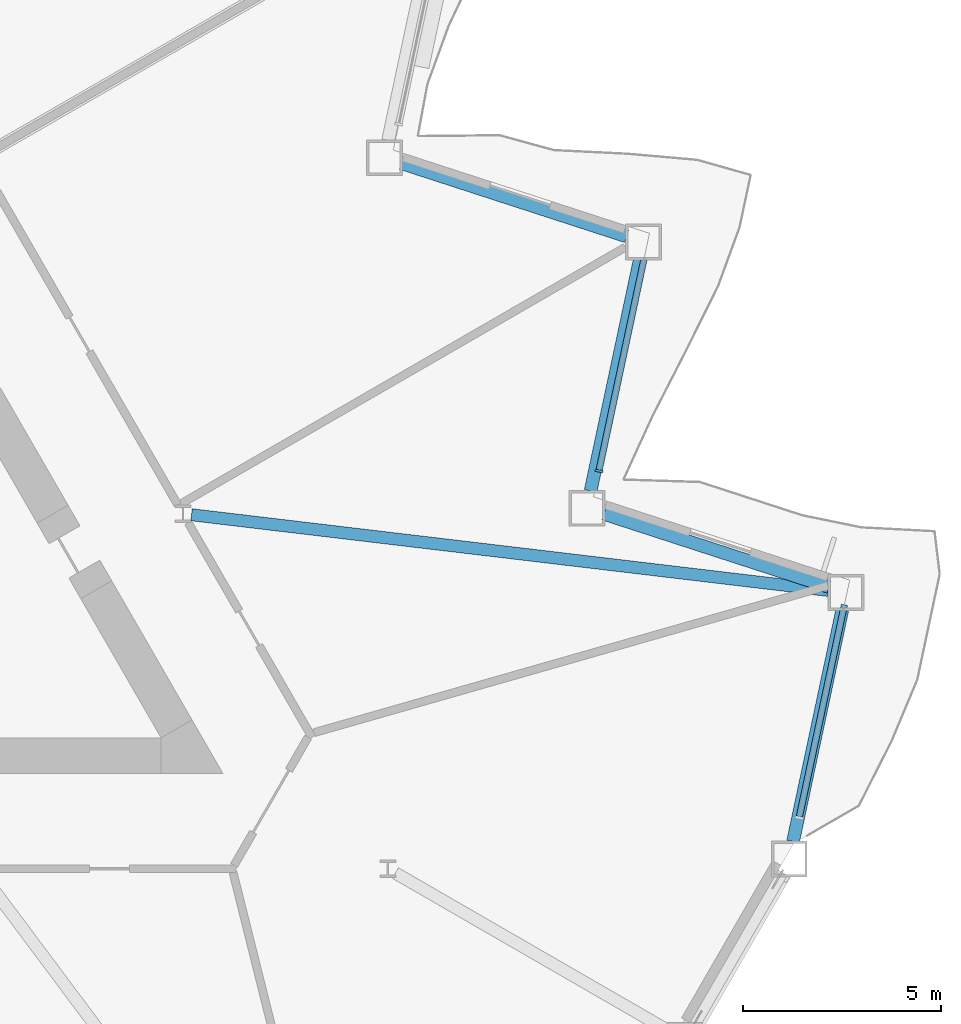
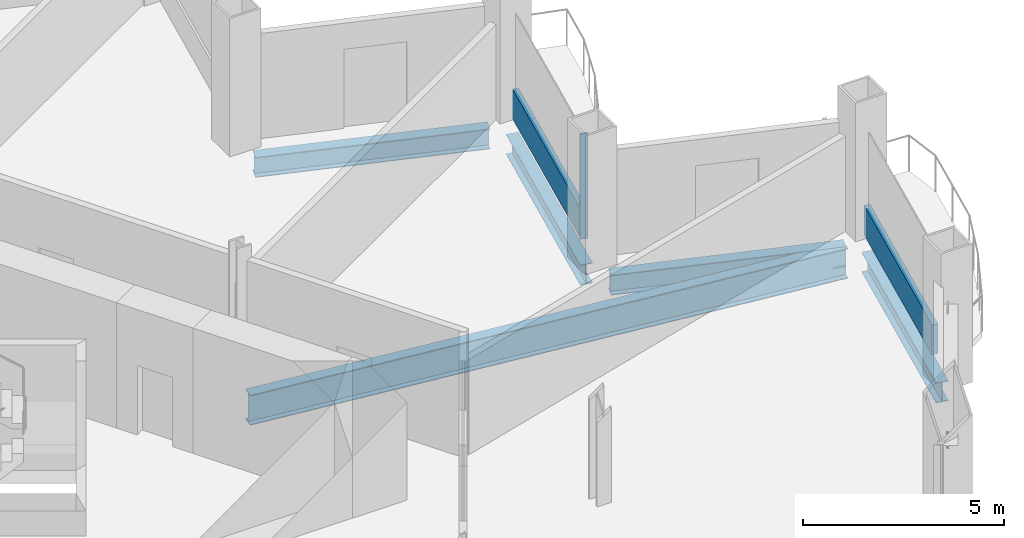
# One storey, part 6 of 21: 5 beams, 3 members, 2 elements without a shape of their own.
"""IFC4 building model written with IfcOpenShell, lengths in metres."""

import ifcopenshell
import ifcopenshell.guid

model = None  # the IFC model being written
_history = None  # IfcOwnerHistory: only IFC2X3 demands one
_inside = {}  # id of a spatial element -> (the spatial element, [elements in it])
_under = {}  # id of a project, library or spatial element -> (it, [spatial elements below it])
_declared = {}  # id of a project -> (the project, [libraries it declares])
_typed = {}  # id of a type object -> (the type object, [elements of that type])
_made_of = {}  # id of a material, layer set ... -> (it, [elements and type objects made of it])


def new_model(schema):
    """Start an empty IFC model of exactly this schema.

    Asked for "IFC4X3", IfcOpenShell would pick the latest addendum, in which some entities
    have other attributes; the version numbers below select the first issue.
    IFC2X3 requires an IfcOwnerHistory on every rooted entity: one is made here for all.
    """
    global model, _history
    if schema == "IFC4X3":
        model = ifcopenshell.file(schema_version=(4, 3, 0, 0))
    else:
        model = ifcopenshell.file(schema=schema)
    _inside.clear()
    _under.clear()
    _declared.clear()
    _typed.clear()
    _made_of.clear()
    _history = None
    if model.schema == "IFC2X3":
        org = make("IfcOrganization", Name="unknown")
        user = make(
            "IfcPersonAndOrganization",
            ThePerson=make("IfcPerson", FamilyName="unknown"),
            TheOrganization=org,
        )
        app = make(
            "IfcApplication",
            ApplicationDeveloper=org,
            Version="unknown",
            ApplicationFullName="unknown",
            ApplicationIdentifier="unknown",
        )
        _history = make(
            "IfcOwnerHistory",
            OwningUser=user,
            OwningApplication=app,
            ChangeAction="ADDED",
            CreationDate=0,
        )
    return model


def make(cls, **values):
    """One entity of the class cls with the attributes given. An attribute that is None is left unset."""
    return model.create_entity(
        cls, **{name: value for name, value in values.items() if value is not None}
    )


def rooted(cls, **values):
    """An entity with a GlobalId (a new one), such as an element, a storey or a relation."""
    return make(cls, GlobalId=ifcopenshell.guid.new(), OwnerHistory=_history, **values)


def si_unit(unit_type, name, prefix=None):
    """IfcSIUnit, for example si_unit("LENGTHUNIT", "METRE", prefix="MILLI")."""
    return make("IfcSIUnit", UnitType=unit_type, Prefix=prefix, Name=name)


def assignment(units):
    """IfcUnitAssignment: the units of a project."""
    return None if units is None else make("IfcUnitAssignment", Units=units)


def point(xyz):
    """IfcCartesianPoint."""
    return None if xyz is None else make("IfcCartesianPoint", Coordinates=xyz)


def direction(xyz):
    """IfcDirection."""
    return None if xyz is None else make("IfcDirection", DirectionRatios=xyz)


def frame(location, z_axis=None, x_axis=None):
    """IfcAxis2Placement3D, a coordinate frame: its origin and axes. An axis left out is left unset."""
    return make(
        "IfcAxis2Placement3D",
        Location=point(location),
        Axis=direction(z_axis),
        RefDirection=direction(x_axis),
    )


def frame_2d(location, x_axis=None):
    """IfcAxis2Placement2D, a coordinate frame in the plane: its origin and x axis."""
    return make(
        "IfcAxis2Placement2D", Location=point(location), RefDirection=direction(x_axis)
    )


def origin():
    """The frame at (0, 0, 0) with its axes left unset."""
    return frame((0.0, 0.0, 0.0))


def origin_2d():
    """The frame at (0, 0) in the plane with its x axis left unset."""
    return frame_2d((0.0, 0.0))


def place(relative_to, where):
    """IfcLocalPlacement: puts the frame where relative to a parent placement (None: the world)."""
    return make(
        "IfcLocalPlacement", PlacementRelTo=relative_to, RelativePlacement=where
    )


def context(
    kind, dimensions, precision=None, world=None, true_north=None, identifier=None
):
    """IfcGeometricRepresentationContext, for example the 3D "Model" context."""
    return make(
        "IfcGeometricRepresentationContext",
        ContextIdentifier=identifier,
        ContextType=kind,
        CoordinateSpaceDimension=dimensions,
        Precision=precision,
        WorldCoordinateSystem=world,
        TrueNorth=true_north,
    )


def subcontext(parent, identifier, kind, view, scale=None):
    """IfcGeometricRepresentationSubContext, for example "Body" below "Model"."""
    return make(
        "IfcGeometricRepresentationSubContext",
        ContextIdentifier=identifier,
        ContextType=kind,
        ParentContext=parent,
        TargetScale=scale,
        TargetView=view,
    )


def project(units=None, contexts=None):
    """IfcProject with its units and contexts."""
    return rooted(
        "IfcProject",
        Name="project",
        RepresentationContexts=contexts,
        UnitsInContext=assignment(units),
    )


def spatial(cls, under=None, at=None, **own):
    """A site, building, storey or space (cls), placed at a placement, below another one or the project."""
    s = rooted(cls, ObjectPlacement=at, **own)
    if under is not None:
        _under.setdefault(under.id(), (under, []))[1].append(s)
    return s


def profile(cls, at=None, kind="AREA", **sizes):
    """A parametric profile (cls). Its sizes go by their IFC names, for example OverallWidth=200.0."""
    return make(cls, ProfileType=kind, Position=at, **sizes)


def rectangle(**sizes):
    """IfcRectangleProfileDef."""
    return profile("IfcRectangleProfileDef", **sizes)


def i_section(**sizes):
    """IfcIShapeProfileDef."""
    return profile("IfcIShapeProfileDef", **sizes)


def extrude(swept, where, along, depth):
    """IfcExtrudedAreaSolid: the profile swept, set in the frame where, extruded along a direction by depth."""
    return make(
        "IfcExtrudedAreaSolid",
        SweptArea=swept,
        Position=where,
        ExtrudedDirection=direction(along),
        Depth=depth,
    )


def shape(context_of_items, identifier, shape_type, items):
    """IfcShapeRepresentation: the items that make up one representation, for example the "Body"."""
    return make(
        "IfcShapeRepresentation",
        ContextOfItems=context_of_items,
        RepresentationIdentifier=identifier,
        RepresentationType=shape_type,
        Items=items,
    )


def material(Name=None, Category=None):
    """IfcMaterial."""
    return make("IfcMaterial", Name=Name, Category=Category)


def layer(
    of_material, thickness, ventilated=None, Name=None, Category=None, Priority=None
):
    """IfcMaterialLayer: one layer of a wall or slab, of a material (None: an air gap)."""
    return make(
        "IfcMaterialLayer",
        Material=of_material,
        LayerThickness=thickness,
        IsVentilated=ventilated,
        Name=Name,
        Category=Category,
        Priority=Priority,
    )


def layer_set(layers, Name=None):
    """IfcMaterialLayerSet."""
    return make("IfcMaterialLayerSet", MaterialLayers=layers, LayerSetName=Name)


def material_profile(
    of_material, cross_section, Name=None, Category=None, Priority=None
):
    """IfcMaterialProfile: a cross section and its material."""
    return make(
        "IfcMaterialProfile",
        Name=Name,
        Material=of_material,
        Profile=cross_section,
        Priority=Priority,
        Category=Category,
    )


def profile_set(profiles, Name=None, composite=None):
    """IfcMaterialProfileSet."""
    return make(
        "IfcMaterialProfileSet",
        Name=Name,
        MaterialProfiles=profiles,
        CompositeProfile=composite,
    )


def made_of(thing, what):
    """Note that an element or type object is made of a material, layer set ...; save() writes the relation."""
    if what is not None:
        _made_of.setdefault(what.id(), (what, []))[1].append(thing)
    return thing


def type_object(cls, material=None, **own):
    """A type object (cls), such as IfcWallType, which elements share."""
    return made_of(rooted(cls, **own), material)


def element(
    cls,
    number,
    at=None,
    inside=None,
    cuts=None,
    type_object=None,
    material=None,
    context=None,
    identifier="Body",
    shape_type=None,
    held_by="IfcProductDefinitionShape",
    body=None,
    shapes=None,
    **own,
):
    """One element of the class cls, such as IfcWall. Its Tag is "e" and its number.

    at: its placement. inside: the storey or other place that contains it. cuts: it is an
    opening in that element (IfcRelVoidsElement). A single representation is given by context,
    identifier, shape_type and body (its items); several are given by shapes. held_by: the class
    of the entity that holds the representations. save() writes the other relations.
    """
    e = rooted(cls, Tag="e%d" % number, ObjectPlacement=at, **own)
    if body is not None:
        shapes = [shape(context, identifier, shape_type, body)]
    if shapes is not None:
        e.Representation = make(held_by, Representations=shapes)
    if inside is not None:
        _inside.setdefault(inside.id(), (inside, []))[1].append(e)
    if cuts is not None:
        rooted(
            "IfcRelVoidsElement", RelatingBuildingElement=cuts, RelatedOpeningElement=e
        )
    if type_object is not None:
        _typed.setdefault(type_object.id(), (type_object, []))[1].append(e)
    return made_of(e, material)


def aggregate(whole, parts):
    """IfcRelAggregates: a whole, such as a stair, and the parts it consists of."""
    return rooted("IfcRelAggregates", RelatingObject=whole, RelatedObjects=parts)


def save(model, path):
    """Write the relations noted so far, then the file.

    IfcRelAggregates (storeys below a building ...), IfcRelContainedInSpatialStructure (elements
    in a storey), IfcRelDefinesByType, IfcRelAssociatesMaterial and IfcRelDeclares: one each for
    every whole, place, type object, material and project.
    """
    for whole, parts in _under.values():
        aggregate(whole, parts)
    for where, things in _inside.values():
        rooted(
            "IfcRelContainedInSpatialStructure",
            RelatedElements=things,
            RelatingStructure=where,
        )
    for kind, things in _typed.values():
        rooted("IfcRelDefinesByType", RelatedObjects=things, RelatingType=kind)
    for what, things in _made_of.values():
        rooted("IfcRelAssociatesMaterial", RelatedObjects=things, RelatingMaterial=what)
    for by, libraries in _declared.values():
        rooted("IfcRelDeclares", RelatingContext=by, RelatedDefinitions=libraries)
    model.write(path)


model = new_model("IFC4")

# Units and contexts
model_context = context("Model", 3, precision=1e-05, world=origin(), true_north=direction((0.0, 1.0)))
body_context = subcontext(model_context, "Body", "Model", "MODEL_VIEW")
ifc_project = project(units=[si_unit("LENGTHUNIT", "METRE"), si_unit("AREAUNIT", "SQUARE_METRE"), si_unit("VOLUMEUNIT", "CUBIC_METRE"), si_unit("PLANEANGLEUNIT", "RADIAN"), si_unit("MASSUNIT", "GRAM", prefix="KILO")], contexts=[model_context])

# Site, building, storey
site_placement = place(None, origin())
site = spatial("IfcSite", under=ifc_project, at=site_placement, CompositionType="ELEMENT")
building_placement = place(site_placement, origin())
building = spatial("IfcBuilding", under=site, at=building_placement, Name="Cormorant Prow Tower", CompositionType="ELEMENT")
storey_placement = place(building_placement, frame((0.0, 0.0, 129.0)))
storey = spatial("IfcBuildingStorey", under=building, at=storey_placement, Name="L27", CompositionType="ELEMENT", Elevation=129.0)

# Curtain wall, member
ifc_material_1 = material(Name="Aluminium 6063-T6", Category="aluminium")
ifc_layer = layer(ifc_material_1, 0.199951171875)
ifc_layer_set = layer_set([ifc_layer], Name="Aluminium 6063-T6")
curtain_wall_type = type_object("IfcCurtainWallType", Name="Office unitised curtain wall 200", PredefinedType="NOTDEFINED", material=ifc_layer_set)
curtain_wall_1_placement = place(storey_placement, origin())
curtain_wall_1 = element("IfcCurtainWall", 1, at=curtain_wall_1_placement, inside=storey, type_object=curtain_wall_type, Name="Office curtain wall ENE02", PredefinedType="NOTDEFINED")
ifc_material_2 = material(Name="Aluminium 6063-T6", Category="aluminium")
ifc_material_profile_1 = material_profile(ifc_material_2, rectangle(XDim=0.199951171875, YDim=0.06005859375, at=origin_2d()), Name="Office mullion 60x200")
ifc_profile_set_1 = profile_set([ifc_material_profile_1], Name="Aluminium 6063-T6")
member_type_1 = type_object("IfcMemberType", Name="Office mullion 60x200", PredefinedType="MULLION", material=ifc_profile_set_1)
member_1_placement = place(storey_placement, frame((25.97314453125, -1.90380859375, 0.0), z_axis=(0.0, 0.0, 1.0), x_axis=(-0.978147605839, 0.207911666798, 0.0)))
member_1 = element("IfcMember", 2, at=member_1_placement, type_object=member_type_1, Name="Office mullion ENE02", PredefinedType="MULLION", context=body_context, shape_type="SweptSolid", body=[
    extrude(rectangle(XDim=0.199951171875, YDim=0.06005859375, at=origin_2d()), origin(), (0.0, 0.0, 1.0), 3.18896484375),
])

curtain_wall_2_placement = place(storey_placement, origin())
curtain_wall_2 = element("IfcCurtainWall", 3, at=curtain_wall_2_placement, inside=storey, type_object=curtain_wall_type, Name="Office curtain wall ENE00", PredefinedType="NOTDEFINED")
ifc_material_3 = material(Name="Terracotta", Category="masonry")
ifc_material_profile_2 = material_profile(ifc_material_3, rectangle(XDim=0.159912109375, YDim=0.89990234375, at=origin_2d()), Name="Office terracotta spandrel rail 160x900")
ifc_profile_set_2 = profile_set([ifc_material_profile_2], Name="Terracotta")
member_type_2 = type_object("IfcMemberType", Name="Office terracotta spandrel rail 160x900", PredefinedType="USERDEFINED", material=ifc_profile_set_2)
member_2_placement = place(storey_placement, frame((31.022705078125, -10.60986328125, 0.449951171875), z_axis=(0.207945473965, 0.978140419294, 0.0), x_axis=(-0.978140419294, 0.207945473965, 0.0)))
member_2 = element("IfcMember", 4, at=member_2_placement, type_object=member_type_2, Name="Office spandrel rail ENE00", ObjectType="TRANSOM", PredefinedType="USERDEFINED", context=body_context, shape_type="SweptSolid", body=[
    extrude(rectangle(XDim=0.159912109375, YDim=0.89990234375, at=origin_2d()), origin(), (0.0, 0.0, 1.0), 5.45458984375),
])
aggregate(curtain_wall_2, [member_2])

# Member
member_3_placement = place(storey_placement, frame((25.9794921875, -1.874267578125, 0.449951171875), z_axis=(0.20791175325, 0.978147587463, 0.0), x_axis=(-0.978147587463, 0.20791175325, 0.0)))
member_3 = element("IfcMember", 5, at=member_3_placement, type_object=member_type_2, Name="Office spandrel rail ENE02", ObjectType="TRANSOM", PredefinedType="USERDEFINED", context=body_context, shape_type="SweptSolid", body=[
    extrude(rectangle(XDim=0.159912109375, YDim=0.89990234375, at=origin_2d()), origin(), (0.0, 0.0, 1.0), 5.454345703125),
])

aggregate(curtain_wall_1, [member_1, member_3])

# Beams
ifc_material_4 = material(Name="Structural steel ASTM A992 Gr 50", Category="steel")
ifc_material_profile_3 = material_profile(ifc_material_4, i_section(OverallWidth=0.3046875, OverallDepth=0.914794921875, WebThickness=0.0166015625, FlangeThickness=0.02587890625, at=origin_2d()), Name="W36x160")
ifc_profile_set_3 = profile_set([ifc_material_profile_3], Name="Structural steel ASTM A992 Gr 50")
beam_type_1 = type_object("IfcBeamType", Name="Radial floor beam W36x160", PredefinedType="BEAM", material=ifc_profile_set_3)
beam_1_placement = place(storey_placement, frame((15.70849609375, -3.00732421875, -0.857421875), z_axis=(0.993009167646, -0.118037252474, 0.0), x_axis=(0.118037252474, 0.993009167646, 0.0)))
element("IfcBeam", 6, at=beam_1_placement, inside=storey, type_object=beam_type_1, Name="Radial floor beam FB1 10 L27", PredefinedType="BEAM", context=body_context, shape_type="SweptSolid", body=[
    extrude(i_section(OverallWidth=0.3046875, OverallDepth=0.914794921875, WebThickness=0.0166015625, FlangeThickness=0.02587890625, at=origin_2d()), origin(), (0.0, 0.0, 1.0), 16.15380859375),
])
ifc_material_5 = material(Name="Structural steel ASTM A992 Gr 50", Category="steel")
ifc_material_profile_4 = material_profile(ifc_material_5, i_section(OverallWidth=0.32373046875, OverallDepth=0.611083984375, WebThickness=0.0126953125, FlangeThickness=0.01904296875, at=origin_2d()), Name="W24x104")
ifc_profile_set_4 = profile_set([ifc_material_profile_4], Name="Structural steel ASTM A992 Gr 50")
beam_type_2 = type_object("IfcBeamType", Name="Spandrel beam W24x104", PredefinedType="SPANDREL", material=ifc_profile_set_4)
beam_2_placement = place(storey_placement, frame((30.86279296875, -11.23974609375, -0.70556640625), z_axis=(0.207912620873, 0.978147403044, 0.0), x_axis=(-0.978147403044, 0.207912620873, 0.0)))
element("IfcBeam", 7, at=beam_2_placement, inside=storey, type_object=beam_type_2, Name="Spandrel beam SB1 ENE00-ENE01 L27", PredefinedType="SPANDREL", context=body_context, shape_type="SweptSolid", body=[
    extrude(i_section(OverallWidth=0.32373046875, OverallDepth=0.611083984375, WebThickness=0.0126953125, FlangeThickness=0.01904296875, at=origin_2d()), origin(), (0.0, 0.0, 1.0), 5.962890625),
])
for number, where, z_axis, x_axis, name in (
    (8, (31.768310546875, -4.828125, -0.70556640625), (-0.951059340519, 0.309008302174, 0.0), (-0.309008302174, -0.951059340519, 0.0), "Spandrel beam SB1 ENE01-ENE02 L27"),
    (9, (25.762939453125, -2.40625, -0.70556640625), (0.207920947907, 0.978145633033, 0.0), (-0.978145633033, 0.207920947907, 0.0), "Spandrel beam SB1 ENE02-ENE03 L27"),
):
    element("IfcBeam", number, at=place(storey_placement, frame(where, z_axis=z_axis, x_axis=x_axis)), inside=storey, type_object=beam_type_2, Name=name, PredefinedType="SPANDREL", context=body_context, shape_type="SweptSolid", body=[
        extrude(i_section(OverallWidth=0.32373046875, OverallDepth=0.611083984375, WebThickness=0.0126953125, FlangeThickness=0.01904296875, at=origin_2d()), origin(), (0.0, 0.0, 1.0), 5.962646484375),
    ])
beam_3_placement = place(storey_placement, frame((26.668212890625, 4.00537109375, -0.70556640625), z_axis=(-0.951055430656, 0.309020335608, 0.0), x_axis=(-0.309020335608, -0.951055430656, 0.0)))
element("IfcBeam", 10, at=beam_3_placement, inside=storey, type_object=beam_type_2, Name="Spandrel beam SB1 ENE03-ENE04 L27", PredefinedType="SPANDREL", context=body_context, shape_type="SweptSolid", body=[
    extrude(i_section(OverallWidth=0.32373046875, OverallDepth=0.611083984375, WebThickness=0.0126953125, FlangeThickness=0.01904296875, at=origin_2d()), origin(), (0.0, 0.0, 1.0), 5.96240234375),
])

save(model, "model.ifc")
